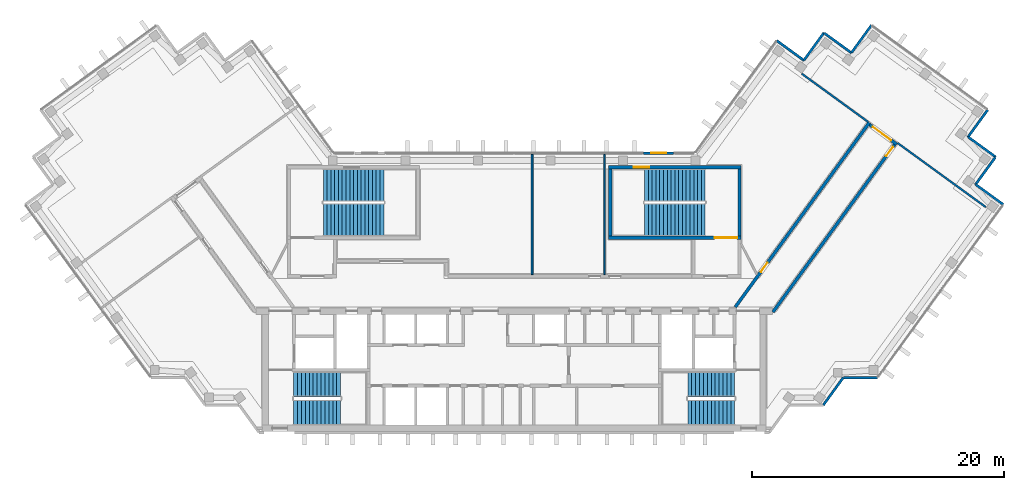
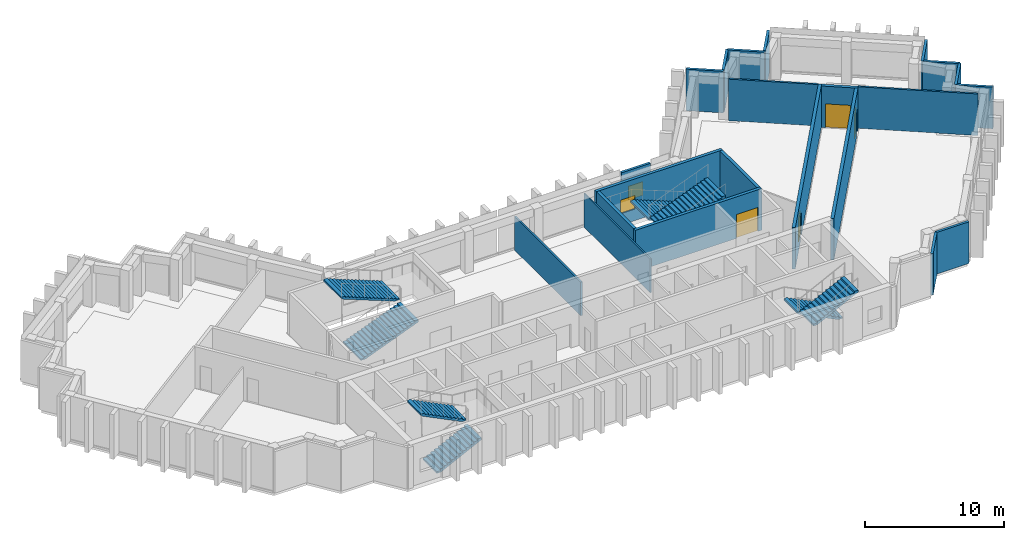
# One storey, part 6 of 8: 22 walls, 8 stair flights, 4 doors, 2 windows, 6 openings, 4 elements without a shape of their own.
"""IFC4 building model written with IfcOpenShell, lengths in metres."""

from ifc_helpers import new_model, si_unit, direction, frame, frame_2d, origin, place, context, subcontext, project, spatial, polyline, rectangle, outline, extrude, material, layer, layer_set, type_object, element, fill, aggregate, save


model = new_model("IFC4")

# Units and contexts
model_context = context("Model", 3, precision=1e-05, world=origin(), true_north=direction((0.0, 1.0)))
body_context = subcontext(model_context, "Body", "Model", "MODEL_VIEW")
ifc_project = project(units=[si_unit("LENGTHUNIT", "METRE"), si_unit("AREAUNIT", "SQUARE_METRE"), si_unit("VOLUMEUNIT", "CUBIC_METRE"), si_unit("PLANEANGLEUNIT", "RADIAN"), si_unit("MASSUNIT", "GRAM", prefix="KILO")], contexts=[model_context])

# Site, building, storey
site_placement = place(None, origin())
site = spatial("IfcSite", under=ifc_project, at=site_placement, CompositionType="ELEMENT")
building_placement = place(site_placement, origin())
building = spatial("IfcBuilding", under=site, at=building_placement, Name="Quipu Civic Tower", CompositionType="ELEMENT")
storey_placement = place(building_placement, frame((0.0, 0.0, 289.0)))
storey = spatial("IfcBuildingStorey", under=building, at=storey_placement, Name="L67", CompositionType="ELEMENT", Elevation=289.0)

# Walls
ifc_material_1 = material(Name="Double gypsum plasterboard with mineral wool")
ifc_layer_1 = layer(ifc_material_1, 0.14990234375)
ifc_layer_set_1 = layer_set([ifc_layer_1], Name="Double gypsum plasterboard with mineral wool")
wall_type_1 = type_object("IfcWallType", Name="Acoustic partition 150 plasterboard", PredefinedType="PARTITIONING", material=ifc_layer_set_1)
wall_1_placement = place(storey_placement, frame((28.0732421875, 13.577880859375, 0.0), z_axis=(0.0, 0.0, 1.0), x_axis=(-0.809000932727, 0.587807358619, 0.0)))
element("IfcWall", 1, at=wall_1_placement, inside=storey, type_object=wall_type_1, Name="Partition P01", PredefinedType="PARTITIONING", context=body_context, shape_type="SweptSolid", body=[
    extrude(rectangle(XDim=6.49560546875, YDim=0.14990234375, at=frame_2d((3.247802734375, 0.0))), origin(), (0.0, 0.0, 1.0), 3.64990234375),
])
wall_2_placement = place(storey_placement, frame((30.414794921875, 11.901611328125, 0.0), z_axis=(0.0, 0.0, 1.0), x_axis=(0.809020922653, -0.587779845444, 0.0)))
element("IfcWall", 2, at=wall_2_placement, inside=storey, type_object=wall_type_1, Name="Partition P04", PredefinedType="PARTITIONING", context=body_context, shape_type="SweptSolid", body=[
    extrude(rectangle(XDim=8.670166015625, YDim=0.14990234375, at=frame_2d((4.3349609375, 0.0))), origin(), (0.0, 0.0, 1.0), 3.64990234375),
])
wall_3_placement = place(storey_placement, frame((1.419921875, 1.449951171875, 0.0), z_axis=(0.0, 0.0, 1.0), x_axis=(0.0, 1.0, 0.0)))
element("IfcWall", 3, at=wall_3_placement, inside=storey, type_object=wall_type_1, Name="Partition P05", PredefinedType="PARTITIONING", context=body_context, shape_type="SweptSolid", body=[
    extrude(rectangle(XDim=9.550048828125, YDim=0.14990234375, at=frame_2d((4.77490234375, 0.0))), origin(), (0.0, 0.0, 1.0), 2.949951171875),
])

# Wall, opening, door
ifc_material_2 = material(Name="Concrete C70/85", Category="concrete")
ifc_layer_2 = layer(ifc_material_2, 0.25)
ifc_layer_set_2 = layer_set([ifc_layer_2], Name="Concrete C70/85")
wall_type_2 = type_object("IfcWallType", Name="Core wall 250", PredefinedType="SHEAR", material=ifc_layer_set_2)
wall_4_placement = place(storey_placement, frame((7.5, 4.375, 0.0), z_axis=(0.0, 0.0, 1.0), x_axis=(1.0, 0.0, 0.0)))
wall_4 = element("IfcWall", 4, at=wall_4_placement, inside=storey, type_object=wall_type_2, Name="Core wall", PredefinedType="SHEAR", context=body_context, shape_type="SweptSolid", body=[
    extrude(rectangle(XDim=10.5, YDim=0.25, at=frame_2d((5.25, 0.0))), origin(), (0.0, 0.0, 1.0), 3.64990234375),
])
opening_1_placement = place(wall_4_placement, frame((8.39990234375, 0.0, 0.0)))
opening_1 = element("IfcOpeningElement", 5, at=opening_1_placement, cuts=wall_4, Name="Opening CD-30", PredefinedType="OPENING", context=body_context, shape_type="SweptSolid", body=[
    extrude(rectangle(XDim=1.800048828125, YDim=2.10009765625, at=frame_2d((0.89990234375, 1.050048828125))), frame((0.0, 0.135009765625, 0.0), z_axis=(0.0, -1.0, 0.0), x_axis=(1.0, 0.0, 0.0)), (0.0, 0.0, 1.0), 0.27001953125),
])
ifc_material_3 = material(Name="Fire rated steel door", Category="steel")
door_type_1 = type_object("IfcDoorType", Name="Fire door FD90 double 1800 x 2100", OperationType="NOTDEFINED", PredefinedType="DOOR", material=ifc_material_3)
door_1_placement = place(opening_1_placement, origin())
door_1 = element("IfcDoor", 6, at=door_1_placement, inside=storey, type_object=door_type_1, Name="Door", OperationType="DOUBLE_DOOR_SINGLE_SWING", OverallHeight=2.10009765625, OverallWidth=1.800048828125, PredefinedType="DOOR", context=body_context, shape_type="SweptSolid", body=[
    extrude(rectangle(XDim=1.800048828125, YDim=2.10009765625, at=frame_2d((0.89990234375, 1.050048828125))), frame((0.0, 0.02490234375, 0.0), z_axis=(0.0, -1.0, 0.0), x_axis=(1.0, 0.0, 0.0)), (0.0, 0.0, 1.0), 0.050048828125),
])
fill(opening_1, door_1)

# Walls
for number, where, z_axis, x_axis, name in (
    (7, (7.625, 4.5, 0.0), (0.0, 0.0, 1.0), (0.0, 1.0, 0.0), "Core wall"),
    (8, (17.875, 4.5, 0.0), (0.0, 0.0, 1.0), (0.0, 1.0, 0.0), "Core wall"),
):
    element("IfcWall", number, at=place(storey_placement, frame(where, z_axis=z_axis, x_axis=x_axis)), inside=storey, type_object=wall_type_2, Name=name, PredefinedType="SHEAR", context=body_context, shape_type="SweptSolid", body=[
        extrude(rectangle(XDim=5.35009765625, YDim=0.25, at=frame_2d((2.675048828125, 0.0))), origin(), (0.0, 0.0, 1.0), 3.64990234375),
    ])

# Wall, opening, window
wall_5_placement = place(storey_placement, frame((7.5, 9.97509765625, 0.0), z_axis=(0.0, 0.0, 1.0), x_axis=(1.0, 0.0, 0.0)))
wall_5 = element("IfcWall", 9, at=wall_5_placement, inside=storey, type_object=wall_type_2, Name="Core wall", PredefinedType="SHEAR", context=body_context, shape_type="SweptSolid", body=[
    extrude(rectangle(XDim=10.5, YDim=0.25, at=frame_2d((5.25, 0.0))), origin(), (0.0, 0.0, 1.0), 3.64990234375),
])
opening_2_placement = place(wall_5_placement, frame((2.0, 0.0, 1.0)))
opening_2 = element("IfcOpeningElement", 10, at=opening_2_placement, cuts=wall_5, Name="Opening SV-4", PredefinedType="OPENING", context=body_context, shape_type="SweptSolid", body=[
    extrude(rectangle(XDim=1.199951171875, YDim=1.199951171875, at=frame_2d((0.60009765625, 0.60009765625))), frame((0.0, 0.135009765625, 0.0), z_axis=(0.0, -1.0, 0.0), x_axis=(1.0, 0.0, 0.0)), (0.0, 0.0, 1.0), 0.27001953125),
])
ifc_material_4 = material(Name="Aluminium louvre", Category="aluminium")
window_type_1 = type_object("IfcWindowType", Name="Stair ventilation louvre 1200 x 1200", PartitioningType="SINGLE_PANEL", PredefinedType="WINDOW", material=ifc_material_4)
window_1_placement = place(opening_2_placement, origin())
window_1 = element("IfcWindow", 11, at=window_1_placement, inside=storey, type_object=window_type_1, Name="Stair ventilation opening", OverallHeight=1.199951171875, OverallWidth=1.199951171875, PartitioningType="SINGLE_PANEL", PredefinedType="WINDOW", context=body_context, shape_type="SweptSolid", body=[
    extrude(rectangle(XDim=1.199951171875, YDim=1.199951171875, at=frame_2d((0.60009765625, 0.60009765625))), frame((0.0, 0.030029296875, 0.0), z_axis=(0.0, -1.0, 0.0), x_axis=(1.0, 0.0, 0.0)), (0.0, 0.0, 1.0), 0.06005859375),
])
fill(opening_2, window_1)

# Wall, opening, door
ifc_material_5 = material(Name="Concrete C50/60", Category="concrete")
ifc_layer_3 = layer(ifc_material_5, 0.25)
ifc_layer_set_3 = layer_set([ifc_layer_3], Name="Concrete C50/60")
wall_type_3 = type_object("IfcWallType", Name="Corridor wall 250 concrete", PredefinedType="SOLIDWALL", material=ifc_layer_set_3)
wall_6_placement = place(storey_placement, frame((17.544921875, -1.124755859375, 0.0), z_axis=(0.0, 0.0, 1.0), x_axis=(0.58779555165, 0.809009511354, 0.0)))
wall_6 = element("IfcWall", 12, at=wall_6_placement, inside=storey, type_object=wall_type_3, Name="Corridor wall C01", PredefinedType="SOLIDWALL", context=body_context, shape_type="SweptSolid", body=[
    extrude(rectangle(XDim=18.10302734375, YDim=0.25, at=frame_2d((9.051513671875, 0.0))), origin(), (0.0, 0.0, 1.0), 3.64990234375),
])
opening_3_placement = place(wall_6_placement, frame((3.44140625, 0.0, 0.0)))
opening_3 = element("IfcOpeningElement", 13, at=opening_3_placement, cuts=wall_6, Name="Opening D001", PredefinedType="OPENING", context=body_context, shape_type="SweptSolid", body=[
    extrude(rectangle(XDim=0.89990234375, YDim=2.10009765625, at=frame_2d((0.449951171875, 1.050048828125))), frame((0.0, 0.135009765625, 0.0), z_axis=(0.0, -1.0, 0.0), x_axis=(1.0, 0.0, 0.0)), (0.0, 0.0, 1.0), 0.27001953125),
])
ifc_material_6 = material(Name="Fire rated timber door set with metal frame", Category="wood")
door_type_2 = type_object("IfcDoorType", Name="Single door 900 x 2100 FD60", OperationType="NOTDEFINED", PredefinedType="DOOR", material=ifc_material_6)
door_2_placement = place(opening_3_placement, origin())
door_2 = element("IfcDoor", 14, at=door_2_placement, inside=storey, type_object=door_type_2, Name="Door D001", OperationType="SINGLE_SWING_LEFT", OverallHeight=2.10009765625, OverallWidth=0.89990234375, PredefinedType="DOOR", context=body_context, shape_type="SweptSolid", body=[
    extrude(rectangle(XDim=0.89990234375, YDim=2.10009765625, at=frame_2d((0.449951171875, 1.050048828125))), frame((0.0, 0.02490234375, 0.0), z_axis=(0.0, -1.0, 0.0), x_axis=(1.0, 0.0, 0.0)), (0.0, 0.0, 1.0), 0.050048828125),
])
fill(opening_3, door_2)

wall_7_placement = place(storey_placement, frame((28.21337890625, 13.34619140625, 0.0), z_axis=(0.0, 0.0, 1.0), x_axis=(0.809006914995, -0.587799125119, 0.0)))
wall_7 = element("IfcWall", 15, at=wall_7_placement, inside=storey, type_object=wall_type_3, Name="Corridor wall C02", PredefinedType="SOLIDWALL", context=body_context, shape_type="SweptSolid", body=[
    extrude(rectangle(XDim=2.64990234375, YDim=0.25, at=frame_2d((1.324951171875, 0.0))), origin(), (0.0, 0.0, 1.0), 3.64990234375),
])
opening_4_placement = place(wall_7_placement, frame((0.30029296875, 0.0, 0.0)))
opening_4 = element("IfcOpeningElement", 16, at=opening_4_placement, cuts=wall_7, Name="Opening D003", PredefinedType="OPENING", context=body_context, shape_type="SweptSolid", body=[
    extrude(rectangle(XDim=1.800048828125, YDim=2.10009765625, at=frame_2d((0.89990234375, 1.050048828125))), frame((0.0, 0.135009765625, 0.0), z_axis=(0.0, -1.0, 0.0), x_axis=(1.0, 0.0, 0.0)), (0.0, 0.0, 1.0), 0.27001953125),
])
ifc_material_7 = material(Name="Fire rated timber door set with metal frame", Category="wood")
door_type_3 = type_object("IfcDoorType", Name="Double door 1800 x 2100 FD60", OperationType="DOUBLE_DOOR_SINGLE_SWING", PredefinedType="DOOR", material=ifc_material_7)
door_3_placement = place(opening_4_placement, origin())
door_3 = element("IfcDoor", 17, at=door_3_placement, inside=storey, type_object=door_type_3, Name="Door D003", OperationType="DOUBLE_DOOR_SINGLE_SWING", OverallHeight=2.10009765625, OverallWidth=1.800048828125, PredefinedType="DOOR", context=body_context, shape_type="SweptSolid", body=[
    extrude(rectangle(XDim=1.800048828125, YDim=2.10009765625, at=frame_2d((0.89990234375, 1.050048828125))), frame((0.0, 0.02490234375, 0.0), z_axis=(0.0, -1.0, 0.0), x_axis=(1.0, 0.0, 0.0)), (0.0, 0.0, 1.0), 0.050048828125),
])
fill(opening_4, door_3)

wall_8_placement = place(storey_placement, frame((30.1826171875, 11.760986328125, 0.0), z_axis=(0.0, 0.0, 1.0), x_axis=(-0.587781762867, -0.80901952958, 0.0)))
wall_8 = element("IfcWall", 18, at=wall_8_placement, inside=storey, type_object=wall_type_3, Name="Corridor wall C03", PredefinedType="SOLIDWALL", context=body_context, shape_type="SweptSolid", body=[
    extrude(rectangle(XDim=16.42041015625, YDim=0.25, at=frame_2d((8.210205078125, 0.0))), origin(), (0.0, 0.0, 1.0), 3.64990234375),
])
opening_5_placement = place(wall_8_placement, frame((0.224609375, 0.0, 0.0)))
opening_5 = element("IfcOpeningElement", 19, at=opening_5_placement, cuts=wall_8, Name="Opening D002", PredefinedType="OPENING", context=body_context, shape_type="SweptSolid", body=[
    extrude(rectangle(XDim=0.89990234375, YDim=2.10009765625, at=frame_2d((0.449951171875, 1.050048828125))), frame((0.0, 0.135009765625, 0.0), z_axis=(0.0, -1.0, 0.0), x_axis=(1.0, 0.0, 0.0)), (0.0, 0.0, 1.0), 0.27001953125),
])
door_4_placement = place(opening_5_placement, origin())
door_4 = element("IfcDoor", 20, at=door_4_placement, inside=storey, type_object=door_type_2, Name="Door D002", OperationType="SINGLE_SWING_LEFT", OverallHeight=2.10009765625, OverallWidth=0.89990234375, PredefinedType="DOOR", context=body_context, shape_type="SweptSolid", body=[
    extrude(rectangle(XDim=0.89990234375, YDim=2.10009765625, at=frame_2d((0.449951171875, 1.050048828125))), frame((0.0, 0.02490234375, 0.0), z_axis=(0.0, -1.0, 0.0), x_axis=(1.0, 0.0, 0.0)), (0.0, 0.0, 1.0), 0.050048828125),
])
fill(opening_5, door_4)

# Walls
ifc_material_8 = material(Name="Gypsum plasterboard on light gauge framing")
ifc_layer_4 = layer(ifc_material_8, 0.1201171875)
ifc_layer_set_4 = layer_set([ifc_layer_4], Name="Gypsum plasterboard on light gauge framing")
wall_type_4 = type_object("IfcWallType", Name="Partition 120 plasterboard", PredefinedType="PARTITIONING", material=ifc_layer_set_4)
wall_9_placement = place(storey_placement, frame((7.177978515625, 1.449951171875, 0.0), z_axis=(0.0, 0.0, 1.0), x_axis=(0.0, 1.0, 0.0)))
element("IfcWall", 21, at=wall_9_placement, inside=storey, type_object=wall_type_4, Name="Partition P07", PredefinedType="PARTITIONING", context=body_context, shape_type="SweptSolid", body=[
    extrude(rectangle(XDim=9.550048828125, YDim=0.1201171875, at=frame_2d((4.77490234375, 0.0))), origin(), (0.0, 0.0, 1.0), 2.949951171875),
])
ifc_material_9 = material(Name="Precast concrete C40/50", Category="concrete")
wall_type_5 = type_object("IfcWallType", Name="Precast cladding wall", PredefinedType="SOLIDWALL", material=ifc_material_9)
wall_10_placement = place(storey_placement, frame((24.533203125, -8.90869140625, 0.0), z_axis=(0.0, 0.0, 1.0), x_axis=(0.587720002413, 0.809064397168, 0.0)))
element("IfcWall", 22, at=wall_10_placement, inside=storey, type_object=wall_type_5, Name="Precast cladding wall L67 P22", PredefinedType="SOLIDWALL", context=body_context, shape_type="SweptSolid", body=[
    extrude(rectangle(XDim=2.7001953125, YDim=0.199951171875, at=frame_2d((1.35009765625, 0.0))), origin(), (0.0, 0.0, 1.0), 3.64990234375),
])
for number, where, z_axis, x_axis, name in (
    (23, (26.1298828125, -6.71923828125, 0.0), (0.0, 0.0, 1.0), (1.0, 0.0, 0.0), "Precast cladding wall L67 P23"),
    (24, (38.813720703125, 7.010498046875, 0.0), (0.0, 0.0, 1.0), (-0.809033161865, 0.587762999008, 0.0), "Precast cladding wall L67 P25"),
    (25, (36.60205078125, 8.580322265625, 0.0), (0.0, 0.0, 1.0), (0.587822180636, 0.808990163075, 0.0), "Precast cladding wall L67 P26"),
    (26, (38.21630859375, 10.78173828125, 0.0), (0.0, 0.0, 1.0), (-0.809033161865, 0.587762999008, 0.0), "Precast cladding wall L67 P27"),
    (27, (36.0048828125, 12.3515625, 0.0), (0.0, 0.0, 1.0), (0.587762999008, 0.809033161865, 0.0), "Precast cladding wall L67 P28"),
):
    element("IfcWall", number, at=place(storey_placement, frame(where, z_axis=z_axis, x_axis=x_axis)), inside=storey, type_object=wall_type_5, Name=name, PredefinedType="SOLIDWALL", context=body_context, shape_type="SweptSolid", body=[
        extrude(rectangle(XDim=2.699951171875, YDim=0.199951171875, at=frame_2d((1.35009765625, 0.0))), origin(), (0.0, 0.0, 1.0), 3.64990234375),
    ])
for number, where, z_axis, x_axis, name in (
    (28, (28.3544921875, 21.247314453125, 0.0), (0.0, 0.0, 1.0), (-0.587720002413, -0.809064397168, 0.0), "Precast cladding wall L67 P30"),
    (29, (26.78466796875, 19.03564453125, 0.0), (0.0, 0.0, 1.0), (-0.809064397168, 0.587720002413, 0.0), "Precast cladding wall L67 P31"),
):
    element("IfcWall", number, at=place(storey_placement, frame(where, z_axis=z_axis, x_axis=x_axis)), inside=storey, type_object=wall_type_5, Name=name, PredefinedType="SOLIDWALL", context=body_context, shape_type="SweptSolid", body=[
        extrude(rectangle(XDim=2.7001953125, YDim=0.199951171875, at=frame_2d((1.35009765625, 0.0))), origin(), (0.0, 0.0, 1.0), 3.64990234375),
    ])
for number, where, z_axis, x_axis, name in (
    (30, (24.583251953125, 20.64990234375, 0.0), (0.0, 0.0, 1.0), (-0.587762999008, -0.809033161865, 0.0), "Precast cladding wall L67 P32"),
    (31, (23.01318359375, 18.438232421875, 0.0), (0.0, 0.0, 1.0), (-0.808990163075, 0.587822180636, 0.0), "Precast cladding wall L67 P33"),
):
    element("IfcWall", number, at=place(storey_placement, frame(where, z_axis=z_axis, x_axis=x_axis)), inside=storey, type_object=wall_type_5, Name=name, PredefinedType="SOLIDWALL", context=body_context, shape_type="SweptSolid", body=[
        extrude(rectangle(XDim=2.699951171875, YDim=0.199951171875, at=frame_2d((1.35009765625, 0.0))), origin(), (0.0, 0.0, 1.0), 3.64990234375),
    ])

# Wall, opening, window
wall_11_placement = place(storey_placement, frame((12.655029296875, 11.10009765625, 0.0), z_axis=(0.0, 0.0, 1.0), x_axis=(-1.0, 0.0, 0.0)))
wall_11 = element("IfcWall", 32, at=wall_11_placement, inside=storey, type_object=wall_type_5, Name="Vent surround SF-L62-2", PredefinedType="SOLIDWALL", context=body_context, shape_type="SweptSolid", body=[
    extrude(rectangle(XDim=2.3916015625, YDim=0.199951171875, at=frame_2d((1.19580078125, 0.0))), origin(), (0.0, 0.0, 1.0), 3.64990234375),
])
opening_6_placement = place(wall_11_placement, frame((0.595703125, 0.0, 1.0)))
opening_6 = element("IfcOpeningElement", 33, at=opening_6_placement, cuts=wall_11, Name="Opening SF-L62-2", PredefinedType="OPENING", context=body_context, shape_type="SweptSolid", body=[
    extrude(rectangle(XDim=1.199951171875, YDim=1.199951171875, at=frame_2d((0.60009765625, 0.60009765625))), frame((0.0, 0.10986328125, 0.0), z_axis=(0.0, -1.0, 0.0), x_axis=(1.0, 0.0, 0.0)), (0.0, 0.0, 1.0), 0.219970703125),
])
ifc_material_10 = material(Name="Anodised aluminium louvre", Category="aluminium")
window_type_2 = type_object("IfcWindowType", Name="Stair vent louvre window P3", PartitioningType="SINGLE_PANEL", PredefinedType="WINDOW", material=ifc_material_10)
window_2_placement = place(opening_6_placement, origin())
window_2 = element("IfcWindow", 34, at=window_2_placement, inside=storey, type_object=window_type_2, Name="Stair vent louvre SF-L62-2", OverallHeight=1.199951171875, OverallWidth=1.199951171875, PartitioningType="SINGLE_PANEL", PredefinedType="WINDOW", context=body_context, shape_type="SweptSolid", body=[
    extrude(rectangle(XDim=1.199951171875, YDim=1.199951171875, at=frame_2d((0.60009765625, 0.60009765625))), frame((0.0, 0.030029296875, 0.0), z_axis=(0.0, -1.0, 0.0), x_axis=(1.0, 0.0, 0.0)), (0.0, 0.0, 1.0), 0.06005859375),
])
fill(opening_6, window_2)

# Stair, stair flights
ifc_material_11 = material(Name="Concrete C40/50", Category="concrete")
stair_type_1 = type_object("IfcStairType", Name="Half turn stair 2000", PredefinedType="HALF_TURN_STAIR", material=ifc_material_11)
stair_1_placement = place(storey_placement, origin())
stair_1 = element("IfcStair", 35, at=stair_1_placement, inside=storey, type_object=stair_type_1, Name="Exit stair 1", PredefinedType="HALF_TURN_STAIR")
ifc_material_12 = material(Name="Concrete C40/50", Category="concrete")
stair_flight_type_1 = type_object("IfcStairFlightType", Name="Stair flight 2000", PredefinedType="STRAIGHT", material=ifc_material_12)
stair_flight_1_placement = place(storey_placement, frame((-17.5, -9.5, 0.0), z_axis=(0.0, 0.0, 1.0), x_axis=(1.0, 0.0, 0.0)))
stair_flight_1 = element("IfcStairFlight", 36, at=stair_flight_1_placement, type_object=stair_flight_type_1, Name="ST-1 flight 1", NumberOfRisers=13, NumberOfTreads=12, PredefinedType="STRAIGHT", RiserHeight=0.153846154, TreadLength=0.31, context=body_context, shape_type="SweptSolid", body=[
    extrude(outline(polyline([(0.0, 0.0), (0.0, 0.15380859375), (0.31005859375, 0.15380859375), (0.31005859375, 0.3076171875), (0.6201171875, 0.3076171875), (0.6201171875, 0.46142578125), (0.929931640625, 0.46142578125), (0.929931640625, 0.615478515625), (1.239990234375, 0.615478515625), (1.239990234375, 0.769287109375), (1.550048828125, 0.769287109375), (1.550048828125, 0.923095703125), (1.860107421875, 0.923095703125), (1.860107421875, 1.076904296875), (2.169921875, 1.076904296875), (2.169921875, 1.230712890625), (2.47998046875, 1.230712890625), (2.47998046875, 1.384521484375), (2.7900390625, 1.384521484375), (2.7900390625, 1.53857421875), (3.10009765625, 1.53857421875), (3.10009765625, 1.6923828125), (3.409912109375, 1.6923828125), (3.409912109375, 1.84619140625), (3.719970703125, 1.84619140625), (3.719970703125, 2.0), (3.719970703125, 1.6787109375), (0.337158203125, 0.0), (0.0, 0.0)])), frame((0.0, 1.0, 0.0), z_axis=(0.0, -1.0, 0.0), x_axis=(1.0, 0.0, 0.0)), (0.0, 0.0, 1.0), 2.0),
])
stair_flight_2_placement = place(storey_placement, frame((-13.780029296875, -7.25, 2.0), z_axis=(0.0, 0.0, 1.0), x_axis=(-1.0, 0.0, 0.0)))
stair_flight_2 = element("IfcStairFlight", 37, at=stair_flight_2_placement, type_object=stair_flight_type_1, Name="ST-1 flight 2", NumberOfRisers=13, NumberOfTreads=12, PredefinedType="STRAIGHT", RiserHeight=0.153846154, TreadLength=0.31, context=body_context, shape_type="SweptSolid", body=[
    extrude(outline(polyline([(0.0, 0.0), (0.0, 0.15380859375), (0.31005859375, 0.15380859375), (0.31005859375, 0.3076171875), (0.6201171875, 0.3076171875), (0.6201171875, 0.46142578125), (0.929931640625, 0.46142578125), (0.929931640625, 0.615478515625), (1.239990234375, 0.615478515625), (1.239990234375, 0.769287109375), (1.550048828125, 0.769287109375), (1.550048828125, 0.923095703125), (1.860107421875, 0.923095703125), (1.860107421875, 1.076904296875), (2.169921875, 1.076904296875), (2.169921875, 1.230712890625), (2.47998046875, 1.230712890625), (2.47998046875, 1.384521484375), (2.7900390625, 1.384521484375), (2.7900390625, 1.53857421875), (3.10009765625, 1.53857421875), (3.10009765625, 1.6923828125), (3.409912109375, 1.6923828125), (3.409912109375, 1.84619140625), (3.719970703125, 1.84619140625), (3.719970703125, 2.0), (3.719970703125, 1.6787109375), (0.337158203125, 0.0), (0.0, 0.0)])), frame((0.0, 1.0, 0.0), z_axis=(0.0, -1.0, 0.0), x_axis=(1.0, 0.0, 0.0)), (0.0, 0.0, 1.0), 2.0),
])
aggregate(stair_1, [stair_flight_1, stair_flight_2])

stair_2_placement = place(storey_placement, origin())
stair_2 = element("IfcStair", 38, at=stair_2_placement, inside=storey, type_object=stair_type_1, Name="Exit stair 2", PredefinedType="HALF_TURN_STAIR")
stair_flight_3_placement = place(storey_placement, frame((17.5, -7.25, 0.0), z_axis=(0.0, 0.0, 1.0), x_axis=(-1.0, 0.0, 0.0)))
stair_flight_3 = element("IfcStairFlight", 39, at=stair_flight_3_placement, type_object=stair_flight_type_1, Name="ST-2 flight 1", NumberOfRisers=13, NumberOfTreads=12, PredefinedType="STRAIGHT", RiserHeight=0.153846154, TreadLength=0.31, context=body_context, shape_type="SweptSolid", body=[
    extrude(outline(polyline([(0.0, 0.0), (0.0, 0.15380859375), (0.31005859375, 0.15380859375), (0.31005859375, 0.3076171875), (0.6201171875, 0.3076171875), (0.6201171875, 0.46142578125), (0.929931640625, 0.46142578125), (0.929931640625, 0.615478515625), (1.239990234375, 0.615478515625), (1.239990234375, 0.769287109375), (1.550048828125, 0.769287109375), (1.550048828125, 0.923095703125), (1.860107421875, 0.923095703125), (1.860107421875, 1.076904296875), (2.169921875, 1.076904296875), (2.169921875, 1.230712890625), (2.47998046875, 1.230712890625), (2.47998046875, 1.384521484375), (2.7900390625, 1.384521484375), (2.7900390625, 1.53857421875), (3.10009765625, 1.53857421875), (3.10009765625, 1.6923828125), (3.409912109375, 1.6923828125), (3.409912109375, 1.84619140625), (3.719970703125, 1.84619140625), (3.719970703125, 2.0), (3.719970703125, 1.6787109375), (0.337158203125, 0.0), (0.0, 0.0)])), frame((0.0, 1.0, 0.0), z_axis=(0.0, -1.0, 0.0), x_axis=(1.0, 0.0, 0.0)), (0.0, 0.0, 1.0), 2.0),
])
stair_flight_4_placement = place(storey_placement, frame((13.780029296875, -9.5, 2.0), z_axis=(0.0, 0.0, 1.0), x_axis=(1.0, 0.0, 0.0)))
stair_flight_4 = element("IfcStairFlight", 40, at=stair_flight_4_placement, type_object=stair_flight_type_1, Name="ST-2 flight 2", NumberOfRisers=13, NumberOfTreads=12, PredefinedType="STRAIGHT", RiserHeight=0.153846154, TreadLength=0.31, context=body_context, shape_type="SweptSolid", body=[
    extrude(outline(polyline([(0.0, 0.0), (0.0, 0.15380859375), (0.31005859375, 0.15380859375), (0.31005859375, 0.3076171875), (0.6201171875, 0.3076171875), (0.6201171875, 0.46142578125), (0.929931640625, 0.46142578125), (0.929931640625, 0.615478515625), (1.239990234375, 0.615478515625), (1.239990234375, 0.769287109375), (1.550048828125, 0.769287109375), (1.550048828125, 0.923095703125), (1.860107421875, 0.923095703125), (1.860107421875, 1.076904296875), (2.169921875, 1.076904296875), (2.169921875, 1.230712890625), (2.47998046875, 1.230712890625), (2.47998046875, 1.384521484375), (2.7900390625, 1.384521484375), (2.7900390625, 1.53857421875), (3.10009765625, 1.53857421875), (3.10009765625, 1.6923828125), (3.409912109375, 1.6923828125), (3.409912109375, 1.84619140625), (3.719970703125, 1.84619140625), (3.719970703125, 2.0), (3.719970703125, 1.6787109375), (0.337158203125, 0.0), (0.0, 0.0)])), frame((0.0, 1.0, 0.0), z_axis=(0.0, -1.0, 0.0), x_axis=(1.0, 0.0, 0.0)), (0.0, 0.0, 1.0), 2.0),
])
aggregate(stair_2, [stair_flight_3, stair_flight_4])

ifc_material_13 = material(Name="Concrete C40/50", Category="concrete")
stair_type_2 = type_object("IfcStairType", Name="Half turn stair 2600", PredefinedType="HALF_TURN_STAIR", material=ifc_material_13)
stair_3_placement = place(storey_placement, origin())
stair_3 = element("IfcStair", 41, at=stair_3_placement, inside=storey, type_object=stair_type_2, Name="Exit stair 3", PredefinedType="HALF_TURN_STAIR")
ifc_material_14 = material(Name="Concrete C40/50", Category="concrete")
stair_flight_type_2 = type_object("IfcStairFlightType", Name="Stair flight 2600", PredefinedType="STRAIGHT", material=ifc_material_14)
stair_flight_5_placement = place(storey_placement, frame((-15.14990234375, 5.800048828125, 0.0), z_axis=(0.0, 0.0, 1.0), x_axis=(1.0, 0.0, 0.0)))
stair_flight_5 = element("IfcStairFlight", 42, at=stair_flight_5_placement, type_object=stair_flight_type_2, Name="ST-3 flight 1", NumberOfRisers=17, NumberOfTreads=16, PredefinedType="STRAIGHT", RiserHeight=0.117647059, TreadLength=0.3, context=body_context, shape_type="SweptSolid", body=[
    extrude(outline(polyline([(0.0, 0.0), (0.0, 0.11767578125), (0.300048828125, 0.11767578125), (0.300048828125, 0.2353515625), (0.60009765625, 0.2353515625), (0.60009765625, 0.35302734375), (0.89990234375, 0.35302734375), (0.89990234375, 0.470703125), (1.199951171875, 0.470703125), (1.199951171875, 0.588134765625), (1.5, 0.588134765625), (1.5, 0.705810546875), (1.800048828125, 0.705810546875), (1.800048828125, 0.823486328125), (2.10009765625, 0.823486328125), (2.10009765625, 0.941162109375), (2.39990234375, 0.941162109375), (2.39990234375, 1.058837890625), (2.699951171875, 1.058837890625), (2.699951171875, 1.176513671875), (3.0, 1.176513671875), (3.0, 1.294189453125), (3.300048828125, 1.294189453125), (3.300048828125, 1.411865234375), (3.60009765625, 1.411865234375), (3.60009765625, 1.529296875), (3.89990234375, 1.529296875), (3.89990234375, 1.64697265625), (4.199951171875, 1.64697265625), (4.199951171875, 1.7646484375), (4.5, 1.7646484375), (4.5, 1.88232421875), (4.800048828125, 1.88232421875), (4.800048828125, 2.0), (4.800048828125, 1.721435546875), (0.41064453125, 0.0), (0.0, 0.0)])), frame((0.0, 1.300048828125, 0.0), z_axis=(0.0, -1.0, 0.0), x_axis=(1.0, 0.0, 0.0)), (0.0, 0.0, 1.0), 2.60009765625),
])
stair_flight_6_placement = place(storey_placement, frame((-10.35009765625, 8.550048828125, 2.0), z_axis=(0.0, 0.0, 1.0), x_axis=(-1.0, 0.0, 0.0)))
stair_flight_6 = element("IfcStairFlight", 43, at=stair_flight_6_placement, type_object=stair_flight_type_2, Name="ST-3 flight 2", NumberOfRisers=17, NumberOfTreads=16, PredefinedType="STRAIGHT", RiserHeight=0.117647059, TreadLength=0.3, context=body_context, shape_type="SweptSolid", body=[
    extrude(outline(polyline([(0.0, 0.0), (0.0, 0.11767578125), (0.300048828125, 0.11767578125), (0.300048828125, 0.2353515625), (0.60009765625, 0.2353515625), (0.60009765625, 0.35302734375), (0.89990234375, 0.35302734375), (0.89990234375, 0.470703125), (1.199951171875, 0.470703125), (1.199951171875, 0.588134765625), (1.5, 0.588134765625), (1.5, 0.705810546875), (1.800048828125, 0.705810546875), (1.800048828125, 0.823486328125), (2.10009765625, 0.823486328125), (2.10009765625, 0.941162109375), (2.39990234375, 0.941162109375), (2.39990234375, 1.058837890625), (2.699951171875, 1.058837890625), (2.699951171875, 1.176513671875), (3.0, 1.176513671875), (3.0, 1.294189453125), (3.300048828125, 1.294189453125), (3.300048828125, 1.411865234375), (3.60009765625, 1.411865234375), (3.60009765625, 1.529296875), (3.89990234375, 1.529296875), (3.89990234375, 1.64697265625), (4.199951171875, 1.64697265625), (4.199951171875, 1.7646484375), (4.5, 1.7646484375), (4.5, 1.88232421875), (4.800048828125, 1.88232421875), (4.800048828125, 2.0), (4.800048828125, 1.721435546875), (0.41064453125, 0.0), (0.0, 0.0)])), frame((0.0, 1.300048828125, 0.0), z_axis=(0.0, -1.0, 0.0), x_axis=(1.0, 0.0, 0.0)), (0.0, 0.0, 1.0), 2.60009765625),
])
aggregate(stair_3, [stair_flight_5, stair_flight_6])

stair_4_placement = place(storey_placement, origin())
stair_4 = element("IfcStair", 44, at=stair_4_placement, inside=storey, type_object=stair_type_2, Name="Exit stair 4", PredefinedType="HALF_TURN_STAIR")
stair_flight_7_placement = place(storey_placement, frame((15.14990234375, 8.550048828125, 0.0), z_axis=(0.0, 0.0, 1.0), x_axis=(-1.0, 0.0, 0.0)))
stair_flight_7 = element("IfcStairFlight", 45, at=stair_flight_7_placement, type_object=stair_flight_type_2, Name="ST-4 flight 1", NumberOfRisers=17, NumberOfTreads=16, PredefinedType="STRAIGHT", RiserHeight=0.117647059, TreadLength=0.3, context=body_context, shape_type="SweptSolid", body=[
    extrude(outline(polyline([(0.0, 0.0), (0.0, 0.11767578125), (0.300048828125, 0.11767578125), (0.300048828125, 0.2353515625), (0.60009765625, 0.2353515625), (0.60009765625, 0.35302734375), (0.89990234375, 0.35302734375), (0.89990234375, 0.470703125), (1.199951171875, 0.470703125), (1.199951171875, 0.588134765625), (1.5, 0.588134765625), (1.5, 0.705810546875), (1.800048828125, 0.705810546875), (1.800048828125, 0.823486328125), (2.10009765625, 0.823486328125), (2.10009765625, 0.941162109375), (2.39990234375, 0.941162109375), (2.39990234375, 1.058837890625), (2.699951171875, 1.058837890625), (2.699951171875, 1.176513671875), (3.0, 1.176513671875), (3.0, 1.294189453125), (3.300048828125, 1.294189453125), (3.300048828125, 1.411865234375), (3.60009765625, 1.411865234375), (3.60009765625, 1.529296875), (3.89990234375, 1.529296875), (3.89990234375, 1.64697265625), (4.199951171875, 1.64697265625), (4.199951171875, 1.7646484375), (4.5, 1.7646484375), (4.5, 1.88232421875), (4.800048828125, 1.88232421875), (4.800048828125, 2.0), (4.800048828125, 1.721435546875), (0.41064453125, 0.0), (0.0, 0.0)])), frame((0.0, 1.300048828125, 0.0), z_axis=(0.0, -1.0, 0.0), x_axis=(1.0, 0.0, 0.0)), (0.0, 0.0, 1.0), 2.60009765625),
])
stair_flight_8_placement = place(storey_placement, frame((10.35009765625, 5.800048828125, 2.0), z_axis=(0.0, 0.0, 1.0), x_axis=(1.0, 0.0, 0.0)))
stair_flight_8 = element("IfcStairFlight", 46, at=stair_flight_8_placement, type_object=stair_flight_type_2, Name="ST-4 flight 2", NumberOfRisers=17, NumberOfTreads=16, PredefinedType="STRAIGHT", RiserHeight=0.117647059, TreadLength=0.3, context=body_context, shape_type="SweptSolid", body=[
    extrude(outline(polyline([(0.0, 0.0), (0.0, 0.11767578125), (0.300048828125, 0.11767578125), (0.300048828125, 0.2353515625), (0.60009765625, 0.2353515625), (0.60009765625, 0.35302734375), (0.89990234375, 0.35302734375), (0.89990234375, 0.470703125), (1.199951171875, 0.470703125), (1.199951171875, 0.588134765625), (1.5, 0.588134765625), (1.5, 0.705810546875), (1.800048828125, 0.705810546875), (1.800048828125, 0.823486328125), (2.10009765625, 0.823486328125), (2.10009765625, 0.941162109375), (2.39990234375, 0.941162109375), (2.39990234375, 1.058837890625), (2.699951171875, 1.058837890625), (2.699951171875, 1.176513671875), (3.0, 1.176513671875), (3.0, 1.294189453125), (3.300048828125, 1.294189453125), (3.300048828125, 1.411865234375), (3.60009765625, 1.411865234375), (3.60009765625, 1.529296875), (3.89990234375, 1.529296875), (3.89990234375, 1.64697265625), (4.199951171875, 1.64697265625), (4.199951171875, 1.7646484375), (4.5, 1.7646484375), (4.5, 1.88232421875), (4.800048828125, 1.88232421875), (4.800048828125, 2.0), (4.800048828125, 1.721435546875), (0.41064453125, 0.0), (0.0, 0.0)])), frame((0.0, 1.300048828125, 0.0), z_axis=(0.0, -1.0, 0.0), x_axis=(1.0, 0.0, 0.0)), (0.0, 0.0, 1.0), 2.60009765625),
])
aggregate(stair_4, [stair_flight_7, stair_flight_8])

save(model, "model.ifc")
